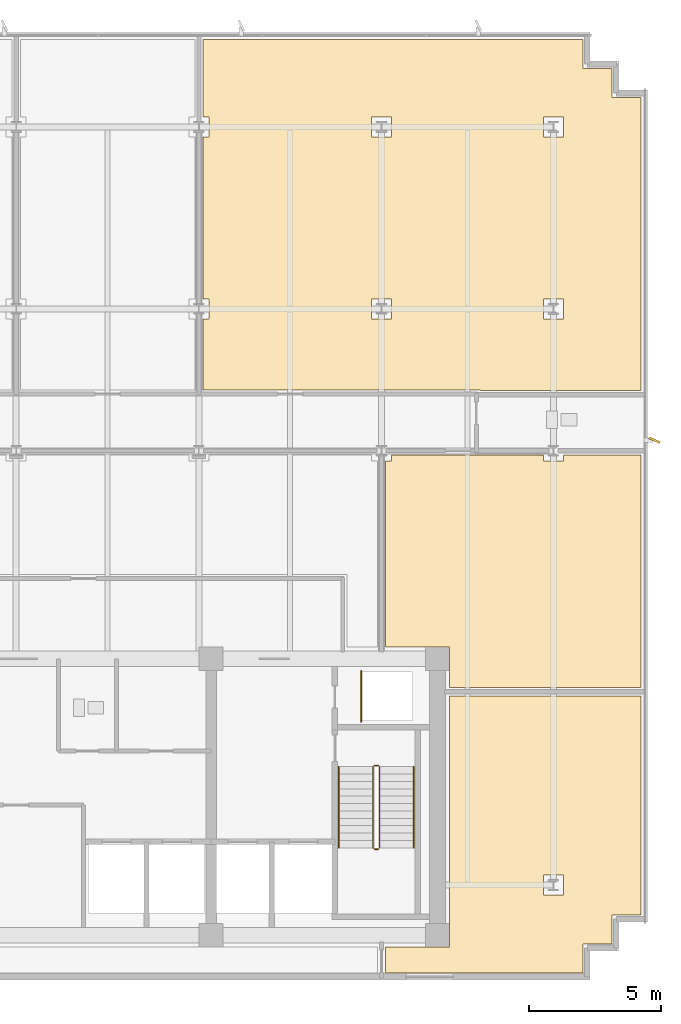
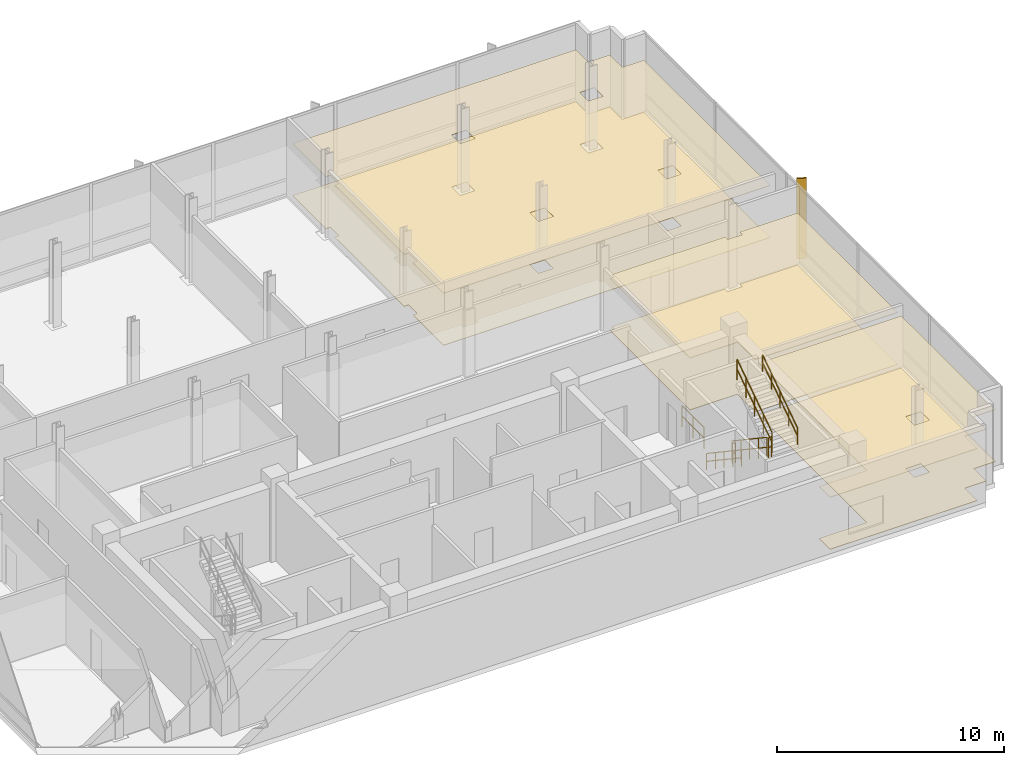
# One storey, part 15 of 17: 7 railings, 6 coverings, 1 shading device.
"""IFC4 building model written with IfcOpenShell, lengths in metres."""

from ifc_helpers import new_model, si_unit, direction, frame, origin, origin_2d, place, context, subcontext, project, spatial, polyline, rectangle, circle, outline, extrude, material, layer, layer_set, type_object, element, save


model = new_model("IFC4")

# Units and contexts
model_context = context("Model", 3, precision=1e-05, world=origin(), true_north=direction((0.0, 1.0)))
body_context = subcontext(model_context, "Body", "Model", "MODEL_VIEW")
ifc_project = project(units=[si_unit("LENGTHUNIT", "METRE"), si_unit("AREAUNIT", "SQUARE_METRE"), si_unit("VOLUMEUNIT", "CUBIC_METRE"), si_unit("PLANEANGLEUNIT", "RADIAN"), si_unit("MASSUNIT", "GRAM", prefix="KILO")], contexts=[model_context])

# Site, building, storey
site_placement = place(None, origin())
site = spatial("IfcSite", under=ifc_project, at=site_placement, CompositionType="ELEMENT")
building_placement = place(site_placement, origin())
building = spatial("IfcBuilding", under=site, at=building_placement, Name="Solmavex Isthmus Hotel", CompositionType="ELEMENT")
storey_placement = place(building_placement, frame((0.0, 0.0, 286.800048828125)))
storey = spatial("IfcBuildingStorey", under=building, at=storey_placement, Name="L78", CompositionType="ELEMENT", Elevation=286.800048828125)

# Coverings
ifc_material_1 = material(Name="Gypsum plasterboard lining", Category="gypsum")
ifc_layer_1 = layer(ifc_material_1, 0.030029296875)
ifc_layer_set_1 = layer_set([ifc_layer_1], Name="Gypsum plasterboard lining")
covering_type_1 = type_object("IfcCoveringType", Name="COV-CEIL-GYP", PredefinedType="CEILING", material=ifc_layer_set_1)
covering_1_placement = place(storey_placement, frame((0.0, 0.0, 2.800048828125)))
element("IfcCovering", 1, at=covering_1_placement, inside=storey, type_object=covering_type_1, Name="Suspended Acoustic Ceiling L78-RM04", PredefinedType="CEILING", context=body_context, shape_type="SweptSolid", body=[
    extrude(outline(polyline([(7.091064453125, 11.16796875), (7.31591796875, 11.16796875), (7.31591796875, 10.407958984375), (7.091064453125, 10.407958984375), (7.091064453125, 7.705078125), (17.626953125, 7.705078125), (17.626953125, 7.68505859375), (23.72509765625, 7.68505859375), (23.72509765625, 18.824951171875), (22.625, 18.824951171875), (22.625, 19.925048828125), (21.52490234375, 19.925048828125), (21.52490234375, 21.02490234375), (7.091064453125, 21.02490234375), (7.091064453125, 18.080078125), (7.31591796875, 18.080078125), (7.31591796875, 17.320068359375), (7.091064453125, 17.320068359375), (7.091064453125, 11.16796875)]), holes=[polyline([(20.02001953125, 10.407958984375), (20.02001953125, 11.16796875), (20.780029296875, 11.16796875), (20.780029296875, 10.407958984375), (20.02001953125, 10.407958984375)]), polyline([(20.02001953125, 17.320068359375), (20.02001953125, 18.080078125), (20.780029296875, 18.080078125), (20.780029296875, 17.320068359375), (20.02001953125, 17.320068359375)]), polyline([(13.491943359375, 10.407958984375), (13.491943359375, 11.16796875), (14.251953125, 11.16796875), (14.251953125, 10.407958984375), (13.491943359375, 10.407958984375)]), polyline([(13.491943359375, 17.320068359375), (13.491943359375, 18.080078125), (14.251953125, 18.080078125), (14.251953125, 17.320068359375), (13.491943359375, 17.320068359375)])]), origin(), (0.0, 0.0, 1.0), 0.02978515625),
])
covering_2_placement = place(storey_placement, frame((0.0, 0.0, 2.800048828125)))
element("IfcCovering", 2, at=covering_2_placement, inside=storey, type_object=covering_type_1, Name="Suspended Acoustic Ceiling L78-FL13", PredefinedType="CEILING", context=body_context, shape_type="SweptSolid", body=[
    extrude(outline(polyline([(16.455078125, -3.905029296875), (16.455078125, -13.455078125), (14.027099609375, -13.455078125), (14.027099609375, -14.425048828125), (21.52490234375, -14.425048828125), (21.52490234375, -13.324951171875), (22.625, -13.324951171875), (22.625, -12.22509765625), (23.72509765625, -12.22509765625), (23.72509765625, -3.905029296875), (16.455078125, -3.905029296875)]), holes=[polyline([(20.02001953125, -11.47998046875), (20.02001953125, -10.719970703125), (20.780029296875, -10.719970703125), (20.780029296875, -11.47998046875), (20.02001953125, -11.47998046875)])]), origin(), (0.0, 0.0, 1.0), 0.02978515625),
])
covering_3_placement = place(storey_placement, frame((0.0, 0.0, 2.800048828125)))
element("IfcCovering", 3, at=covering_3_placement, inside=storey, type_object=covering_type_1, Name="Suspended Acoustic Ceiling L78-FL15", PredefinedType="CEILING", context=body_context, shape_type="SweptSolid", body=[
    extrude(outline(polyline([(14.251953125, 5.2451171875), (14.251953125, 5.02001953125), (14.027099609375, 5.02001953125), (14.027099609375, -2.044921875), (16.455078125, -2.044921875), (16.455078125, -3.594970703125), (23.72509765625, -3.594970703125), (23.72509765625, 5.2451171875), (20.780029296875, 5.2451171875), (20.780029296875, 5.02001953125), (20.02001953125, 5.02001953125), (20.02001953125, 5.2451171875), (14.251953125, 5.2451171875)])), origin(), (0.0, 0.0, 1.0), 0.02978515625),
])
ifc_material_2 = material(Name="Travertine natural stone", Category="masonry")
ifc_layer_2 = layer(ifc_material_2, 0.02490234375)
ifc_layer_set_2 = layer_set([ifc_layer_2], Name="Travertine natural stone")
covering_type_2 = type_object("IfcCoveringType", Name="COV-FLOR-STN", PredefinedType="FLOORING", material=ifc_layer_set_2)
covering_4_placement = place(storey_placement, origin())
element("IfcCovering", 4, at=covering_4_placement, inside=storey, type_object=covering_type_2, Name="Stone and Timber Floor Finish L78-RM04", PredefinedType="FLOORING", context=body_context, shape_type="SweptSolid", body=[
    extrude(outline(polyline([(7.091064453125, 11.16796875), (7.31591796875, 11.16796875), (7.31591796875, 10.407958984375), (7.091064453125, 10.407958984375), (7.091064453125, 7.705078125), (17.626953125, 7.705078125), (17.626953125, 7.68505859375), (23.72509765625, 7.68505859375), (23.72509765625, 18.824951171875), (22.625, 18.824951171875), (22.625, 19.925048828125), (21.52490234375, 19.925048828125), (21.52490234375, 21.02490234375), (7.091064453125, 21.02490234375), (7.091064453125, 18.080078125), (7.31591796875, 18.080078125), (7.31591796875, 17.320068359375), (7.091064453125, 17.320068359375), (7.091064453125, 11.16796875)]), holes=[polyline([(20.02001953125, 10.407958984375), (20.02001953125, 11.16796875), (20.780029296875, 11.16796875), (20.780029296875, 10.407958984375), (20.02001953125, 10.407958984375)]), polyline([(20.02001953125, 17.320068359375), (20.02001953125, 18.080078125), (20.780029296875, 18.080078125), (20.780029296875, 17.320068359375), (20.02001953125, 17.320068359375)]), polyline([(13.491943359375, 10.407958984375), (13.491943359375, 11.16796875), (14.251953125, 11.16796875), (14.251953125, 10.407958984375), (13.491943359375, 10.407958984375)]), polyline([(13.491943359375, 17.320068359375), (13.491943359375, 18.080078125), (14.251953125, 18.080078125), (14.251953125, 17.320068359375), (13.491943359375, 17.320068359375)])]), origin(), (0.0, 0.0, 1.0), 0.02490234375),
])
covering_5_placement = place(storey_placement, origin())
element("IfcCovering", 5, at=covering_5_placement, inside=storey, type_object=covering_type_2, Name="Stone and Timber Floor Finish L78-FL13", PredefinedType="FLOORING", context=body_context, shape_type="SweptSolid", body=[
    extrude(outline(polyline([(16.455078125, -3.905029296875), (16.455078125, -13.455078125), (14.027099609375, -13.455078125), (14.027099609375, -14.425048828125), (21.52490234375, -14.425048828125), (21.52490234375, -13.324951171875), (22.625, -13.324951171875), (22.625, -12.22509765625), (23.72509765625, -12.22509765625), (23.72509765625, -3.905029296875), (16.455078125, -3.905029296875)]), holes=[polyline([(20.02001953125, -11.47998046875), (20.02001953125, -10.719970703125), (20.780029296875, -10.719970703125), (20.780029296875, -11.47998046875), (20.02001953125, -11.47998046875)])]), origin(), (0.0, 0.0, 1.0), 0.02490234375),
])
covering_6_placement = place(storey_placement, origin())
element("IfcCovering", 6, at=covering_6_placement, inside=storey, type_object=covering_type_2, Name="Stone and Timber Floor Finish L78-FL15", PredefinedType="FLOORING", context=body_context, shape_type="SweptSolid", body=[
    extrude(outline(polyline([(14.251953125, 5.2451171875), (14.251953125, 5.02001953125), (14.027099609375, 5.02001953125), (14.027099609375, -2.044921875), (16.455078125, -2.044921875), (16.455078125, -3.594970703125), (23.72509765625, -3.594970703125), (23.72509765625, 5.2451171875), (20.780029296875, 5.2451171875), (20.780029296875, 5.02001953125), (20.02001953125, 5.02001953125), (20.02001953125, 5.2451171875), (14.251953125, 5.2451171875)])), origin(), (0.0, 0.0, 1.0), 0.02490234375),
])

# Railings
ifc_material_3 = material(Name="Clear low-E laminated glass", Category="glass")
ifc_layer_3 = layer(ifc_material_3, 0.080078125)
ifc_layer_set_3 = layer_set([ifc_layer_3], Name="Clear low-E laminated glass")
railing_type_1 = type_object("IfcRailingType", Name="RAIL-ATRIUM-1120", PredefinedType="BALUSTRADE", material=ifc_layer_set_3)
railing_1_placement = place(storey_placement, frame((13.10009765625, -4.89990234375, 0.0)))
element("IfcRailing", 7, at=railing_1_placement, inside=storey, type_object=railing_type_1, Name="Guardrail Balustrade L78-RSE-01", PredefinedType="BALUSTRADE", context=body_context, shape_type="SweptSolid", body=[
    extrude(circle(Radius=0.02392578125, at=origin_2d()), frame((0.0, 0.0, 1.1259765625), z_axis=(0.0, 1.0, 0.0), x_axis=(-1.0, 0.0, 0.0)), (0.0, 0.0, 1.0), 1.949951171875),
    extrude(circle(Radius=0.02392578125, at=origin_2d()), frame((0.0, 0.0, 0.574951171875), z_axis=(0.0, 1.0, 0.0), x_axis=(-1.0, 0.0, 0.0)), (0.0, 0.0, 1.0), 1.949951171875),
    extrude(circle(Radius=0.02099609375, at=origin_2d()), origin(), (0.0, 0.0, 1.0), 1.101806640625),
    extrude(circle(Radius=0.02099609375, at=origin_2d()), frame((0.0, 0.97509765625, 0.0)), (0.0, 0.0, 1.0), 1.101806640625),
    extrude(circle(Radius=0.02099609375, at=origin_2d()), frame((0.0, 1.949951171875, 0.0)), (0.0, 0.0, 1.0), 1.101806640625),
])
ifc_material_4 = material(Name="Stainless steel 316", Category="steel")
ifc_layer_4 = layer(ifc_material_4, 0.06005859375)
ifc_layer_set_4 = layer_set([ifc_layer_4], Name="Stainless steel 316")
railing_type_2 = type_object("IfcRailingType", Name="RAIL-STAIR-GD", PredefinedType="GUARDRAIL", material=ifc_layer_set_4)
railing_2_placement = place(storey_placement, frame((13.550048828125, -6.60009765625, 0.1875)))
element("IfcRailing", 8, at=railing_2_placement, inside=storey, type_object=railing_type_2, Name="L78 ST-2 stair guard 1", PredefinedType="GUARDRAIL", context=body_context, shape_type="SweptSolid", body=[
    extrude(circle(Radius=0.02392578125, at=origin_2d()), frame((0.0, 0.0, 1.09619140625), z_axis=(0.0, -0.830893310487, 0.556431762742), x_axis=(1.0, 0.0, 0.0)), (0.0, 0.0, 1.0), 3.70654296875),
    extrude(circle(Radius=0.02392578125, at=origin_2d()), frame((0.0, 0.0, 0.56005859375), z_axis=(0.0, -0.830893310487, 0.556431762742), x_axis=(1.0, 0.0, 0.0)), (0.0, 0.0, 1.0), 3.70654296875),
    extrude(circle(Radius=0.02099609375, at=origin_2d()), origin(), (0.0, 0.0, 1.0), 1.072021484375),
    extrude(circle(Radius=0.02099609375, at=origin_2d()), frame((0.0, -0.77001953125, 0.515625)), (0.0, 0.0, 1.0), 1.072021484375),
    extrude(circle(Radius=0.02099609375, at=origin_2d()), frame((0.0, -1.5400390625, 1.03125)), (0.0, 0.0, 1.0), 1.072021484375),
    extrude(circle(Radius=0.02099609375, at=origin_2d()), frame((0.0, -2.309814453125, 1.546875)), (0.0, 0.0, 1.0), 1.072021484375),
    extrude(circle(Radius=0.02099609375, at=origin_2d()), frame((0.0, -3.079833984375, 2.0625)), (0.0, 0.0, 1.0), 1.072021484375),
])
railing_3_placement = place(storey_placement, frame((13.60009765625, -9.72998046875, 2.25)))
element("IfcRailing", 9, at=railing_3_placement, inside=storey, type_object=railing_type_2, Name="L78 ST-2 stair guard 2", PredefinedType="GUARDRAIL", context=body_context, shape_type="SweptSolid", body=[
    extrude(circle(Radius=0.02392578125, at=origin_2d()), frame((0.0, 0.0, 1.09619140625), z_axis=(1.0, 0.0, 0.0), x_axis=(0.0, 1.0, 0.0)), (0.0, 0.0, 1.0), 0.14990234375),
    extrude(circle(Radius=0.02392578125, at=origin_2d()), frame((0.0, 0.0, 0.56005859375), z_axis=(1.0, 0.0, 0.0), x_axis=(0.0, 1.0, 0.0)), (0.0, 0.0, 1.0), 0.14990234375),
    extrude(circle(Radius=0.02099609375, at=origin_2d()), origin(), (0.0, 0.0, 1.0), 1.072021484375),
    extrude(circle(Radius=0.02099609375, at=origin_2d()), frame((0.14990234375, 0.0, 0.0)), (0.0, 0.0, 1.0), 1.072021484375),
])
railing_4_placement = place(storey_placement, frame((13.800048828125, -9.679931640625, 2.4375)))
element("IfcRailing", 10, at=railing_4_placement, inside=storey, type_object=railing_type_2, Name="L78 ST-2 stair guard 3", PredefinedType="GUARDRAIL", context=body_context, shape_type="SweptSolid", body=[
    extrude(circle(Radius=0.02392578125, at=origin_2d()), frame((0.0, 0.0, 1.09619140625), z_axis=(0.0, 0.830893310487, 0.556431762742), x_axis=(-1.0, 0.0, 0.0)), (0.0, 0.0, 1.0), 3.70654296875),
    extrude(circle(Radius=0.02392578125, at=origin_2d()), frame((0.0, 0.0, 0.56005859375), z_axis=(0.0, 0.830893310487, 0.556431762742), x_axis=(-1.0, 0.0, 0.0)), (0.0, 0.0, 1.0), 3.70654296875),
    extrude(circle(Radius=0.02099609375, at=origin_2d()), origin(), (0.0, 0.0, 1.0), 1.072021484375),
    extrude(circle(Radius=0.02099609375, at=origin_2d()), frame((0.0, 0.77001953125, 0.515625)), (0.0, 0.0, 1.0), 1.072021484375),
    extrude(circle(Radius=0.02099609375, at=origin_2d()), frame((0.0, 1.5400390625, 1.03125)), (0.0, 0.0, 1.0), 1.072021484375),
    extrude(circle(Radius=0.02099609375, at=origin_2d()), frame((0.0, 2.309814453125, 1.546875)), (0.0, 0.0, 1.0), 1.072021484375),
    extrude(circle(Radius=0.02099609375, at=origin_2d()), frame((0.0, 3.079833984375, 2.0625)), (0.0, 0.0, 1.0), 1.072021484375),
])
railing_5_placement = place(storey_placement, frame((13.60009765625, -6.550048828125, 0.0)))
element("IfcRailing", 11, at=railing_5_placement, inside=storey, type_object=railing_type_2, Name="L78 ST-2 stair guard 4", PredefinedType="GUARDRAIL", context=body_context, shape_type="SweptSolid", body=[
    extrude(circle(Radius=0.02392578125, at=origin_2d()), frame((0.0, 0.0, 1.09619140625), z_axis=(1.0, 0.0, 0.0), x_axis=(0.0, 1.0, 0.0)), (0.0, 0.0, 1.0), 0.14990234375),
    extrude(circle(Radius=0.02392578125, at=origin_2d()), frame((0.0, 0.0, 0.56005859375), z_axis=(1.0, 0.0, 0.0), x_axis=(0.0, 1.0, 0.0)), (0.0, 0.0, 1.0), 0.14990234375),
    extrude(circle(Radius=0.02099609375, at=origin_2d()), origin(), (0.0, 0.0, 1.0), 1.072021484375),
    extrude(circle(Radius=0.02099609375, at=origin_2d()), frame((0.14990234375, 0.0, 0.0)), (0.0, 0.0, 1.0), 1.072021484375),
])
ifc_layer_5 = layer(ifc_material_4, 0.050048828125)
ifc_layer_set_5 = layer_set([ifc_layer_5], Name="Stainless steel 316")
railing_type_3 = type_object("IfcRailingType", Name="RAIL-STAIR-HR", PredefinedType="HANDRAIL", material=ifc_layer_set_5)
railing_6_placement = place(storey_placement, frame((12.25, -6.60009765625, 0.1875)))
element("IfcRailing", 12, at=railing_6_placement, inside=storey, type_object=railing_type_3, Name="L78 ST-2 stair handrail 1", PredefinedType="HANDRAIL", context=body_context, shape_type="SweptSolid", body=[
    extrude(circle(Radius=0.02392578125, at=origin_2d()), frame((0.0, 0.0, 0.8759765625), z_axis=(0.0, -0.830893310487, 0.556431762742), x_axis=(1.0, 0.0, 0.0)), (0.0, 0.0, 1.0), 3.70654296875),
    extrude(circle(Radius=0.02392578125, at=origin_2d()), frame((0.0, 0.0, 0.449951171875), z_axis=(0.0, -0.830893310487, 0.556431762742), x_axis=(1.0, 0.0, 0.0)), (0.0, 0.0, 1.0), 3.70654296875),
    extrude(circle(Radius=0.02099609375, at=origin_2d()), origin(), (0.0, 0.0, 1.0), 0.851806640625),
    extrude(circle(Radius=0.02099609375, at=origin_2d()), frame((0.0, -0.77001953125, 0.515625)), (0.0, 0.0, 1.0), 0.851806640625),
    extrude(circle(Radius=0.02099609375, at=origin_2d()), frame((0.0, -1.5400390625, 1.03125)), (0.0, 0.0, 1.0), 0.851806640625),
    extrude(circle(Radius=0.02099609375, at=origin_2d()), frame((0.0, -2.309814453125, 1.546875)), (0.0, 0.0, 1.0), 0.851806640625),
    extrude(circle(Radius=0.02099609375, at=origin_2d()), frame((0.0, -3.079833984375, 2.0625)), (0.0, 0.0, 1.0), 0.851806640625),
])
railing_7_placement = place(storey_placement, frame((15.10009765625, -9.679931640625, 2.4375)))
element("IfcRailing", 13, at=railing_7_placement, inside=storey, type_object=railing_type_3, Name="L78 ST-2 stair handrail 2", PredefinedType="HANDRAIL", context=body_context, shape_type="SweptSolid", body=[
    extrude(circle(Radius=0.02392578125, at=origin_2d()), frame((0.0, 0.0, 0.8759765625), z_axis=(0.0, 0.830893310487, 0.556431762742), x_axis=(-1.0, 0.0, 0.0)), (0.0, 0.0, 1.0), 3.70654296875),
    extrude(circle(Radius=0.02392578125, at=origin_2d()), frame((0.0, 0.0, 0.449951171875), z_axis=(0.0, 0.830893310487, 0.556431762742), x_axis=(-1.0, 0.0, 0.0)), (0.0, 0.0, 1.0), 3.70654296875),
    extrude(circle(Radius=0.02099609375, at=origin_2d()), origin(), (0.0, 0.0, 1.0), 0.851806640625),
    extrude(circle(Radius=0.02099609375, at=origin_2d()), frame((0.0, 0.77001953125, 0.515625)), (0.0, 0.0, 1.0), 0.851806640625),
    extrude(circle(Radius=0.02099609375, at=origin_2d()), frame((0.0, 1.5400390625, 1.03125)), (0.0, 0.0, 1.0), 0.851806640625),
    extrude(circle(Radius=0.02099609375, at=origin_2d()), frame((0.0, 2.309814453125, 1.546875)), (0.0, 0.0, 1.0), 0.851806640625),
    extrude(circle(Radius=0.02099609375, at=origin_2d()), frame((0.0, 3.079833984375, 2.0625)), (0.0, 0.0, 1.0), 0.851806640625),
])

# Shading device
ifc_material_5 = material(Name="Aluminium alloy 6063-T6", Category="aluminium")
shading_device_type = type_object("IfcShadingDeviceType", Name="SHD-FIN-BRONZE", PredefinedType="USERDEFINED", material=ifc_material_5)
shading_device_placement = place(storey_placement, frame((24.239990234375, 5.800048828125, -0.14013671875), z_axis=(0.0, 0.0, 1.0), x_axis=(0.913545457643, -0.406736643076, 0.0)))
element("IfcShadingDevice", 14, at=shading_device_placement, inside=storey, type_object=shading_device_type, Name="Anodised Aluminium Solar Fin L78-E1", ObjectType="SOLAR_FIN", PredefinedType="USERDEFINED", context=body_context, shape_type="SweptSolid", body=[
    extrude(rectangle(XDim=0.449951171875, YDim=0.080078125, at=origin_2d()), origin(), (0.0, 0.0, 1.0), 4.340087890625),
])

save(model, "model.ifc")
